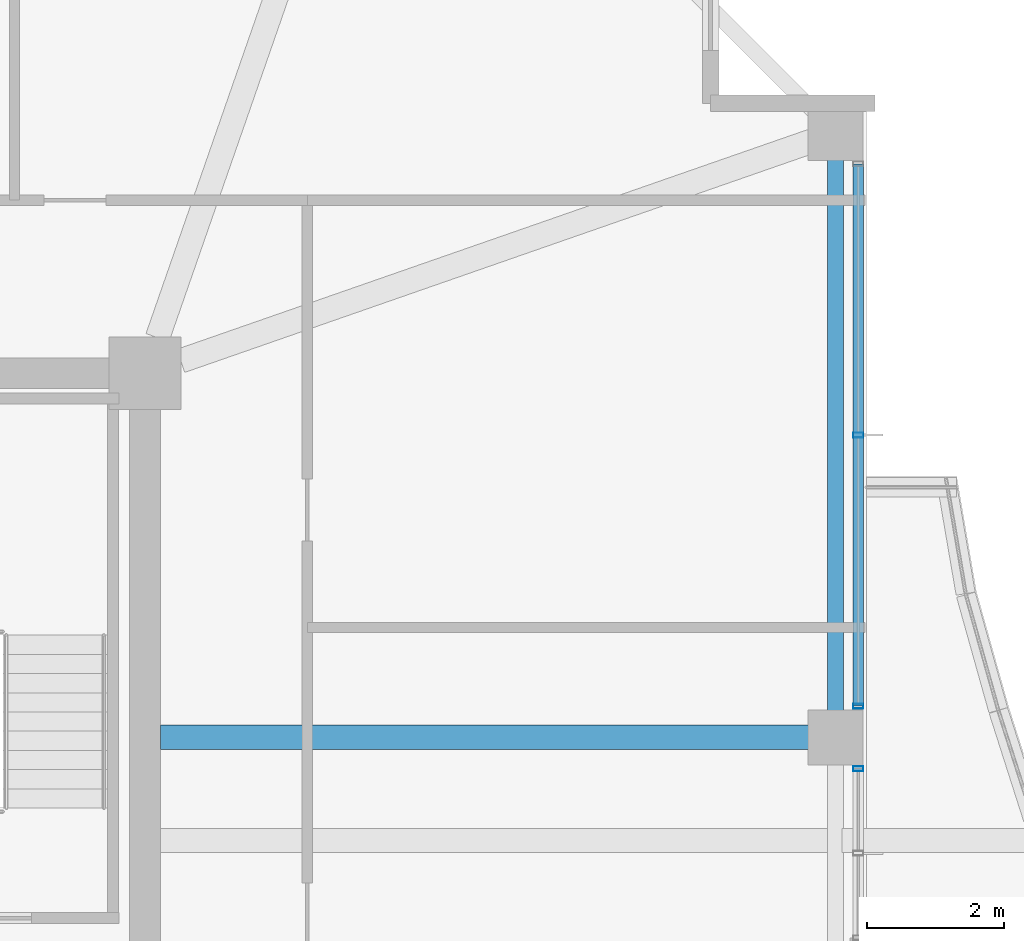
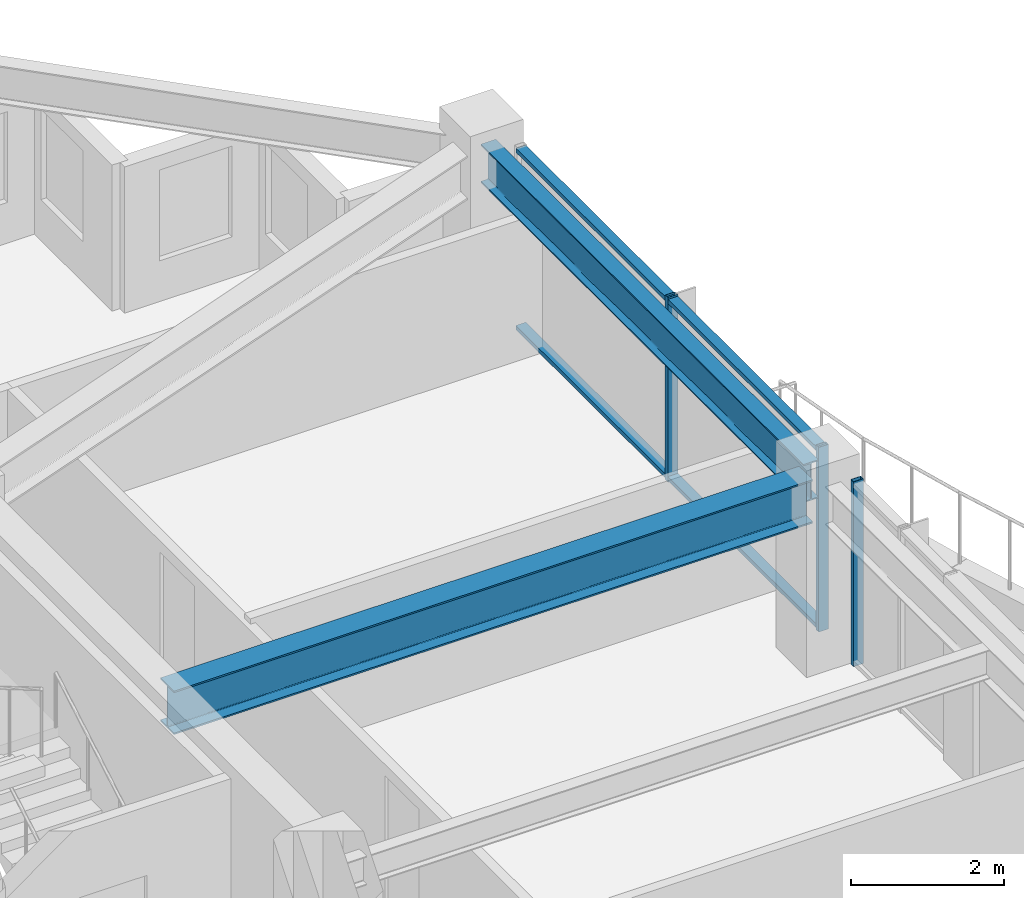
# One storey, part 15 of 34: 5 members, 2 beams, 2 elements without a shape of their own.
"""IFC4 building model written with IfcOpenShell, lengths in metres."""

from ifc_helpers import new_model, si_unit, direction, frame, origin, origin_2d, place, context, subcontext, project, spatial, hollow_rectangle, i_section, extrude, material, material_profile, profile_set, type_object, element, aggregate, save


model = new_model("IFC4")

# Units and contexts
model_context = context("Model", 3, precision=1e-05, world=origin(), true_north=direction((0.0, 1.0)))
body_context = subcontext(model_context, "Body", "Model", "MODEL_VIEW")
ifc_project = project(units=[si_unit("LENGTHUNIT", "METRE"), si_unit("AREAUNIT", "SQUARE_METRE"), si_unit("VOLUMEUNIT", "CUBIC_METRE"), si_unit("PLANEANGLEUNIT", "RADIAN"), si_unit("MASSUNIT", "GRAM", prefix="KILO")], contexts=[model_context])

# Site, building, storey
site_placement = place(None, origin())
site = spatial("IfcSite", under=ifc_project, at=site_placement, CompositionType="ELEMENT")
building_placement = place(site_placement, origin())
building = spatial("IfcBuilding", under=site, at=building_placement, Name="Kolvaren Belvedere", CompositionType="ELEMENT")
storey_placement = place(building_placement, frame((0.0, 0.0, 229.5)))
storey = spatial("IfcBuildingStorey", under=building, at=storey_placement, Name="L67", CompositionType="ELEMENT", Elevation=229.5)

# Beams
ifc_material_1 = material(Name="Structural steel ASTM A992 Grade 50", Category="steel")
ifc_material_profile_1 = material_profile(ifc_material_1, i_section(OverallWidth=0.35498046875, OverallDepth=0.696044921875, WebThickness=0.015380859375, FlangeThickness=0.02490234375, FilletRadius=0.02197265625, at=origin_2d()), Name="W27X146")
ifc_profile_set_1 = profile_set([ifc_material_profile_1], Name="Structural steel ASTM A992 Grade 50")
beam_type_1 = type_object("IfcBeamType", Name="BM-GIRD-W27X146", PredefinedType="BEAM", material=ifc_profile_set_1)
beam_1_placement = place(storey_placement, frame((10.125, 4.60009765625, 2.60205078125), z_axis=(1.0, 0.0, 0.0), x_axis=(0.0, 1.0, 0.0)))
element("IfcBeam", 1, at=beam_1_placement, inside=storey, type_object=beam_type_1, Name="L67 East Radial Girder P", PredefinedType="BEAM", context=body_context, shape_type="SweptSolid", body=[
    extrude(i_section(OverallWidth=0.35498046875, OverallDepth=0.696044921875, WebThickness=0.015380859375, FlangeThickness=0.02490234375, FilletRadius=0.02197265625, at=origin_2d()), origin(), (0.0, 0.0, 1.0), 9.64501953125),
])
ifc_material_2 = material(Name="Structural steel ASTM A992 Grade 50", Category="steel")
ifc_material_profile_2 = material_profile(ifc_material_2, i_section(OverallWidth=0.22900390625, OverallDepth=0.612060546875, WebThickness=0.011962890625, FlangeThickness=0.01953125, FilletRadius=0.01806640625, at=origin_2d()), Name="W24X84")
ifc_profile_set_2 = profile_set([ifc_material_profile_2], Name="Structural steel ASTM A992 Grade 50")
beam_type_2 = type_object("IfcBeamType", Name="BM-SPAN-W24X84", PredefinedType="SPANDREL", material=ifc_profile_set_2)
beam_2_placement = place(storey_placement, frame((19.949951171875, 4.780029296875, 2.64404296875), z_axis=(0.0, 1.0, 0.0), x_axis=(-1.0, 0.0, 0.0)))
element("IfcBeam", 2, at=beam_2_placement, inside=storey, type_object=beam_type_2, Name="L67 Perimeter Spandrel E3-E4", PredefinedType="SPANDREL", context=body_context, shape_type="SweptSolid", body=[
    extrude(i_section(OverallWidth=0.22900390625, OverallDepth=0.612060546875, WebThickness=0.011962890625, FlangeThickness=0.01953125, FilletRadius=0.01806640625, at=origin_2d()), origin(), (0.0, 0.0, 1.0), 8.43994140625),
])

# Curtain wall, members
ifc_material_3 = material(Name="Anodised pale-metal aluminium AA 6063-T6", Category="aluminium")
curtain_wall_type = type_object("IfcCurtainWallType", Name="CW-Z5-HIGH", PredefinedType="NOTDEFINED", material=ifc_material_3)
curtain_wall_1_placement = place(storey_placement, origin())
curtain_wall_1 = element("IfcCurtainWall", 3, at=curtain_wall_1_placement, inside=storey, type_object=curtain_wall_type, Name="L67 Unitised Curtain Wall FCW-L67-E1-B1", PredefinedType="NOTDEFINED")
ifc_material_4 = material(Name="Anodised pale-metal aluminium AA 6063-T6", Category="aluminium")
ifc_material_profile_3 = material_profile(ifc_material_4, hollow_rectangle(XDim=0.070068359375, YDim=0.14990234375, WallThickness=0.004150390625, at=origin_2d()), Name="ALU-MUL-150X70")
ifc_profile_set_3 = profile_set([ifc_material_profile_3], Name="Anodised pale-metal aluminium AA 6063-T6")
member_type_1 = type_object("IfcMemberType", Name="CW-MUL-150", PredefinedType="MULLION", material=ifc_profile_set_3)
member_1_placement = place(storey_placement, frame((20.280029296875, 9.0, 0.0), z_axis=(0.0, 0.0, 1.0), x_axis=(0.0, 1.0, 0.0)))
member_1 = element("IfcMember", 4, at=member_1_placement, type_object=member_type_1, Name="FCW-L67-E1-B1 Unitised Mullion 2", PredefinedType="MULLION", context=body_context, shape_type="SweptSolid", body=[
    extrude(hollow_rectangle(XDim=0.070068359375, YDim=0.14990234375, WallThickness=0.004150390625, at=origin_2d()), origin(), (0.0, 0.0, 1.0), 2.949951171875),
])
member_2_placement = place(storey_placement, frame((20.280029296875, 5.054931640625, 0.0), z_axis=(0.0, 0.0, 1.0), x_axis=(0.0, 1.0, 0.0)))
member_2 = element("IfcMember", 5, at=member_2_placement, type_object=member_type_1, Name="FCW-L67-E1-B1 Unitised Mullion 3", PredefinedType="MULLION", context=body_context, shape_type="SweptSolid", body=[
    extrude(hollow_rectangle(XDim=0.070068359375, YDim=0.14990234375, WallThickness=0.004150390625, at=origin_2d()), origin(), (0.0, 0.0, 1.0), 2.949951171875),
])

# Curtain wall, member
curtain_wall_2_placement = place(storey_placement, origin())
curtain_wall_2 = element("IfcCurtainWall", 6, at=curtain_wall_2_placement, inside=storey, type_object=curtain_wall_type, Name="L67 Unitised Curtain Wall FCW-L67-E1-B2", PredefinedType="NOTDEFINED")
member_3_placement = place(storey_placement, frame((20.280029296875, 4.14501953125, 0.0), z_axis=(0.0, 0.0, 1.0), x_axis=(0.0, 1.0, 0.0)))
member_3 = element("IfcMember", 7, at=member_3_placement, type_object=member_type_1, Name="FCW-L67-E1-B2 Unitised Mullion 1", PredefinedType="MULLION", context=body_context, shape_type="SweptSolid", body=[
    extrude(hollow_rectangle(XDim=0.070068359375, YDim=0.14990234375, WallThickness=0.004150390625, at=origin_2d()), origin(), (0.0, 0.0, 1.0), 2.949951171875),
])
aggregate(curtain_wall_2, [member_3])

# Member
ifc_material_5 = material(Name="Anodised pale-metal aluminium AA 6063-T6", Category="aluminium")
ifc_material_profile_4 = material_profile(ifc_material_5, hollow_rectangle(XDim=0.06494140625, YDim=0.14990234375, WallThickness=0.00390625, at=origin_2d()), Name="ALU-TRN-150X65")
ifc_profile_set_4 = profile_set([ifc_material_profile_4], Name="Anodised pale-metal aluminium AA 6063-T6")
member_type_2 = type_object("IfcMemberType", Name="CW-TRN-150", PredefinedType="USERDEFINED", material=ifc_profile_set_4)
member_4_placement = place(storey_placement, frame((20.280029296875, 12.945068359375, 0.06005859375), z_axis=(0.0, -1.0, 0.0), x_axis=(0.0, 0.0, 1.0)))
member_4 = element("IfcMember", 8, at=member_4_placement, type_object=member_type_2, Name="FCW-L67-E1-B1 Sill Transom", ObjectType="TRANSOM", PredefinedType="USERDEFINED", context=body_context, shape_type="SweptSolid", body=[
    extrude(hollow_rectangle(XDim=0.06494140625, YDim=0.14990234375, WallThickness=0.00390625, at=origin_2d()), origin(), (0.0, 0.0, 1.0), 7.89013671875),
])

member_5_placement = place(storey_placement, frame((20.280029296875, 12.945068359375, 2.889892578125), z_axis=(0.0, -1.0, 0.0), x_axis=(0.0, 0.0, 1.0)))
member_5 = element("IfcMember", 9, at=member_5_placement, type_object=member_type_2, Name="FCW-L67-E1-B1 Head Transom", ObjectType="TRANSOM", PredefinedType="USERDEFINED", context=body_context, shape_type="SweptSolid", body=[
    extrude(hollow_rectangle(XDim=0.06494140625, YDim=0.14990234375, WallThickness=0.00390625, at=origin_2d()), origin(), (0.0, 0.0, 1.0), 7.89013671875),
])

aggregate(curtain_wall_1, [member_1, member_2, member_4, member_5])

save(model, "model.ifc")
